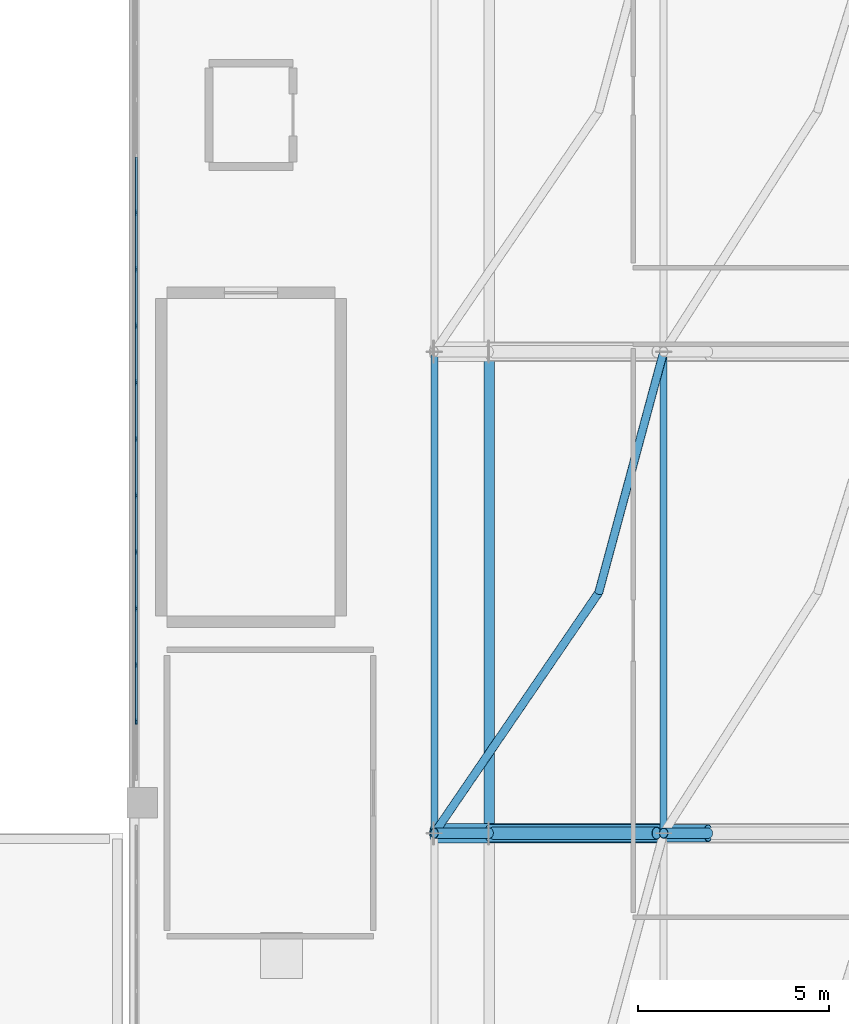
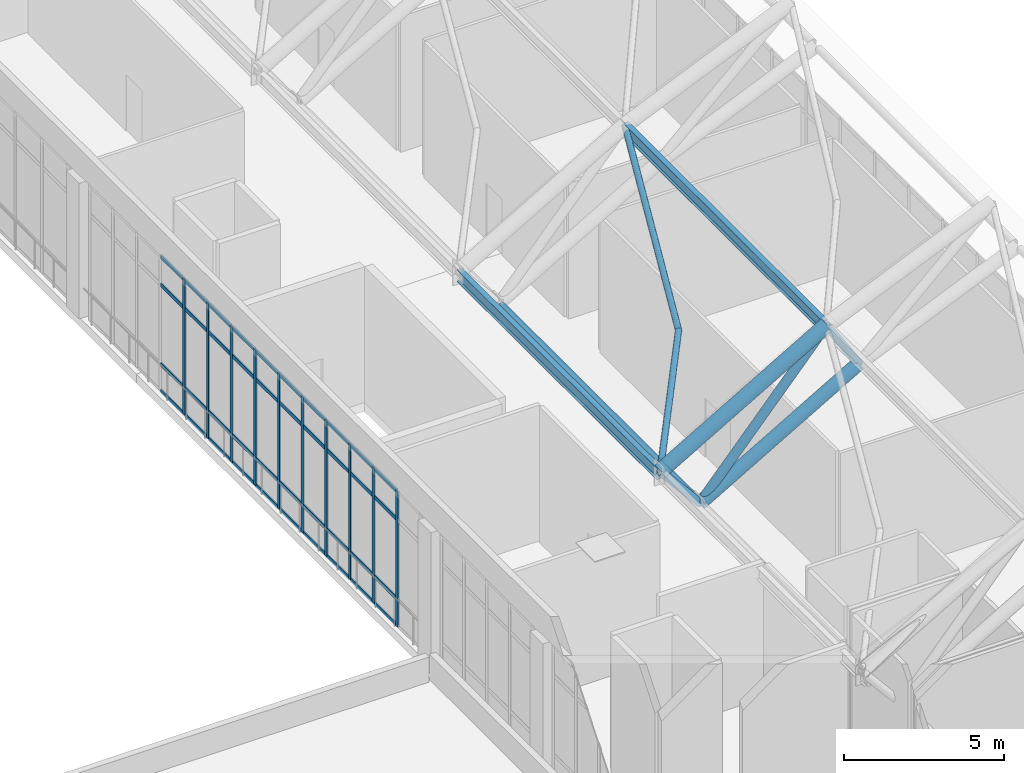
# One storey, part 6 of 42: 60 members, 1 element without a shape of its own.
"""IFC4 building model written with IfcOpenShell, lengths in metres."""

from ifc_helpers import new_model, si_unit, derived_unit, direction, frame, origin, origin_2d, place, context, subcontext, project, spatial, rectangle, hollow_circle, i_section, extrude, material, layer, layer_set, material_profile, profile_set, type_object, element, aggregate, save


model = new_model("IFC4")

# Units and contexts
model_context = context("Model", 3, precision=1e-05, world=origin(), true_north=direction((0.0, 1.0)))
body_context = subcontext(model_context, "Body", "Model", "MODEL_VIEW")
ifc_project = project(units=[si_unit("LENGTHUNIT", "METRE"), si_unit("AREAUNIT", "SQUARE_METRE"), si_unit("VOLUMEUNIT", "CUBIC_METRE"), si_unit("PLANEANGLEUNIT", "RADIAN"), si_unit("MASSUNIT", "GRAM", prefix="KILO"), derived_unit("THERMALTRANSMITTANCEUNIT", [(si_unit("MASSUNIT", "GRAM", prefix="KILO"), 1), (si_unit("TIMEUNIT", "SECOND"), -3), (si_unit("THERMODYNAMICTEMPERATUREUNIT", "KELVIN"), -1)])], contexts=[model_context])

# Site, building, storey
site_placement = place(None, origin())
site = spatial("IfcSite", under=ifc_project, at=site_placement, CompositionType="ELEMENT")
building_placement = place(site_placement, origin())
building = spatial("IfcBuilding", under=site, at=building_placement, Name="Valcora Ridge Arena", CompositionType="ELEMENT")
storey_placement = place(building_placement, frame((0.0, 0.0, 26.39990234375)))
storey = spatial("IfcBuildingStorey", under=building, at=storey_placement, Name="L05", CompositionType="ELEMENT", Elevation=26.39990234375)

# Curtain wall, members
ifc_material_1 = material(Name="Anodised dark bronze architectural aluminium 6063-T6", Category="aluminium")
ifc_layer = layer(ifc_material_1, 0.14990234375, Name="Anodised dark bronze architectural aluminium 6063-T6")
ifc_layer_set = layer_set([ifc_layer], Name="Anodised dark bronze architectural aluminium 6063-T6")
curtain_wall_type = type_object("IfcCurtainWallType", Name="TY-CURTAINWALL-CW-V1-SKY-207X52", PredefinedType="NOTDEFINED", material=ifc_layer_set)
curtain_wall_placement = place(storey_placement, origin())
curtain_wall = element("IfcCurtainWall", 1, at=curtain_wall_placement, inside=storey, type_object=curtain_wall_type, Name="CW-V1-SKY-207X52 CW-0165", PredefinedType="NOTDEFINED")
ifc_material_profile_1 = material_profile(ifc_material_1, rectangle(XDim=0.050048828125, YDim=0.14990234375, at=origin_2d()), Name="ALU MULLION 50x150")
ifc_profile_set_1 = profile_set([ifc_material_profile_1], Name="Anodised dark bronze architectural aluminium 6063-T6")
member_type_1 = type_object("IfcMemberType", Name="TY-MEM-CWM-50x150", PredefinedType="MULLION", material=ifc_profile_set_1)
member_1_placement = place(storey_placement, frame((16.199951171875, 48.1201171875, 0.0), z_axis=(0.0, 0.0, 1.0), x_axis=(-1.0, 0.0, 0.0)))
member_1 = element("IfcMember", 2, at=member_1_placement, type_object=member_type_1, Name="CW-0165/CWM-50x150/M01", PredefinedType="MULLION", context=body_context, shape_type="SweptSolid", body=[
    extrude(rectangle(XDim=0.050048828125, YDim=0.14990234375, at=origin_2d()), origin(), (0.0, 0.0, 1.0), 5.18017578125),
])
member_2_placement = place(storey_placement, frame((16.199951171875, 49.60009765625, 0.0), z_axis=(0.0, 0.0, 1.0), x_axis=(-1.0, 0.0, 0.0)))
member_2 = element("IfcMember", 3, at=member_2_placement, type_object=member_type_1, Name="CW-0165/CWM-50x150/M02", PredefinedType="MULLION", context=body_context, shape_type="SweptSolid", body=[
    extrude(rectangle(XDim=0.050048828125, YDim=0.14990234375, at=origin_2d()), origin(), (0.0, 0.0, 1.0), 5.18017578125),
])
member_3_placement = place(storey_placement, frame((16.199951171875, 51.080078125, 0.0), z_axis=(0.0, 0.0, 1.0), x_axis=(-1.0, 0.0, 0.0)))
member_3 = element("IfcMember", 4, at=member_3_placement, type_object=member_type_1, Name="CW-0165/CWM-50x150/M03", PredefinedType="MULLION", context=body_context, shape_type="SweptSolid", body=[
    extrude(rectangle(XDim=0.050048828125, YDim=0.14990234375, at=origin_2d()), origin(), (0.0, 0.0, 1.0), 5.18017578125),
])
member_4_placement = place(storey_placement, frame((16.199951171875, 52.56005859375, 0.0), z_axis=(0.0, 0.0, 1.0), x_axis=(-1.0, 0.0, 0.0)))
member_4 = element("IfcMember", 5, at=member_4_placement, type_object=member_type_1, Name="CW-0165/CWM-50x150/M04", PredefinedType="MULLION", context=body_context, shape_type="SweptSolid", body=[
    extrude(rectangle(XDim=0.050048828125, YDim=0.14990234375, at=origin_2d()), origin(), (0.0, 0.0, 1.0), 5.18017578125),
])
member_5_placement = place(storey_placement, frame((16.199951171875, 54.0400390625, 0.0), z_axis=(0.0, 0.0, 1.0), x_axis=(-1.0, 0.0, 0.0)))
member_5 = element("IfcMember", 6, at=member_5_placement, type_object=member_type_1, Name="CW-0165/CWM-50x150/M05", PredefinedType="MULLION", context=body_context, shape_type="SweptSolid", body=[
    extrude(rectangle(XDim=0.050048828125, YDim=0.14990234375, at=origin_2d()), origin(), (0.0, 0.0, 1.0), 5.18017578125),
])
member_6_placement = place(storey_placement, frame((16.199951171875, 55.52001953125, 0.0), z_axis=(0.0, 0.0, 1.0), x_axis=(-1.0, 0.0, 0.0)))
member_6 = element("IfcMember", 7, at=member_6_placement, type_object=member_type_1, Name="CW-0165/CWM-50x150/M06", PredefinedType="MULLION", context=body_context, shape_type="SweptSolid", body=[
    extrude(rectangle(XDim=0.050048828125, YDim=0.14990234375, at=origin_2d()), origin(), (0.0, 0.0, 1.0), 5.18017578125),
])
member_7_placement = place(storey_placement, frame((16.199951171875, 57.0, 0.0), z_axis=(0.0, 0.0, 1.0), x_axis=(-1.0, 0.0, 0.0)))
member_7 = element("IfcMember", 8, at=member_7_placement, type_object=member_type_1, Name="CW-0165/CWM-50x150/M07", PredefinedType="MULLION", context=body_context, shape_type="SweptSolid", body=[
    extrude(rectangle(XDim=0.050048828125, YDim=0.14990234375, at=origin_2d()), origin(), (0.0, 0.0, 1.0), 5.18017578125),
])
member_8_placement = place(storey_placement, frame((16.199951171875, 58.47998046875, 0.0), z_axis=(0.0, 0.0, 1.0), x_axis=(-1.0, 0.0, 0.0)))
member_8 = element("IfcMember", 9, at=member_8_placement, type_object=member_type_1, Name="CW-0165/CWM-50x150/M08", PredefinedType="MULLION", context=body_context, shape_type="SweptSolid", body=[
    extrude(rectangle(XDim=0.050048828125, YDim=0.14990234375, at=origin_2d()), origin(), (0.0, 0.0, 1.0), 5.18017578125),
])
member_9_placement = place(storey_placement, frame((16.199951171875, 59.9599609375, 0.0), z_axis=(0.0, 0.0, 1.0), x_axis=(-1.0, 0.0, 0.0)))
member_9 = element("IfcMember", 10, at=member_9_placement, type_object=member_type_1, Name="CW-0165/CWM-50x150/M09", PredefinedType="MULLION", context=body_context, shape_type="SweptSolid", body=[
    extrude(rectangle(XDim=0.050048828125, YDim=0.14990234375, at=origin_2d()), origin(), (0.0, 0.0, 1.0), 5.18017578125),
])
member_10_placement = place(storey_placement, frame((16.199951171875, 61.43994140625, 0.0), z_axis=(0.0, 0.0, 1.0), x_axis=(-1.0, 0.0, 0.0)))
member_10 = element("IfcMember", 11, at=member_10_placement, type_object=member_type_1, Name="CW-0165/CWM-50x150/M10", PredefinedType="MULLION", context=body_context, shape_type="SweptSolid", body=[
    extrude(rectangle(XDim=0.050048828125, YDim=0.14990234375, at=origin_2d()), origin(), (0.0, 0.0, 1.0), 5.18017578125),
])
ifc_material_profile_2 = material_profile(ifc_material_1, rectangle(XDim=0.050048828125, YDim=0.14990234375, at=origin_2d()), Name="ALU TRANSOM 50x150")
ifc_profile_set_2 = profile_set([ifc_material_profile_2], Name="Anodised dark bronze architectural aluminium 6063-T6")
member_type_2 = type_object("IfcMemberType", Name="TY-MEM-CWT-50x150", PredefinedType="USERDEFINED", material=ifc_profile_set_2)
member_11_placement = place(storey_placement, frame((16.199951171875, 48.14501953125, 0.025146484375), z_axis=(0.0, 1.0, 0.0), x_axis=(-1.0, 0.0, 0.0)))
member_11 = element("IfcMember", 12, at=member_11_placement, type_object=member_type_2, Name="CW-0165/CWT-50x150/T01-00", ObjectType="TRANSOM", PredefinedType="USERDEFINED", context=body_context, shape_type="SweptSolid", body=[
    extrude(rectangle(XDim=0.050048828125, YDim=0.14990234375, at=origin_2d()), origin(), (0.0, 0.0, 1.0), 1.429931640625),
])
member_12_placement = place(storey_placement, frame((16.199951171875, 48.14501953125, 1.050048828125), z_axis=(0.0, 1.0, 0.0), x_axis=(-1.0, 0.0, 0.0)))
member_12 = element("IfcMember", 13, at=member_12_placement, type_object=member_type_2, Name="CW-0165/CWT-50x150/T01-01", ObjectType="TRANSOM", PredefinedType="USERDEFINED", context=body_context, shape_type="SweptSolid", body=[
    extrude(rectangle(XDim=0.050048828125, YDim=0.14990234375, at=origin_2d()), origin(), (0.0, 0.0, 1.0), 1.429931640625),
])
member_13_placement = place(storey_placement, frame((16.199951171875, 48.14501953125, 4.080078125), z_axis=(0.0, 1.0, 0.0), x_axis=(-1.0, 0.0, 0.0)))
member_13 = element("IfcMember", 14, at=member_13_placement, type_object=member_type_2, Name="CW-0165/CWT-50x150/T01-02", ObjectType="TRANSOM", PredefinedType="USERDEFINED", context=body_context, shape_type="SweptSolid", body=[
    extrude(rectangle(XDim=0.050048828125, YDim=0.14990234375, at=origin_2d()), origin(), (0.0, 0.0, 1.0), 1.429931640625),
])
member_14_placement = place(storey_placement, frame((16.199951171875, 48.14501953125, 5.155029296875), z_axis=(0.0, 1.0, 0.0), x_axis=(-1.0, 0.0, 0.0)))
member_14 = element("IfcMember", 15, at=member_14_placement, type_object=member_type_2, Name="CW-0165/CWT-50x150/T01-03", ObjectType="TRANSOM", PredefinedType="USERDEFINED", context=body_context, shape_type="SweptSolid", body=[
    extrude(rectangle(XDim=0.050048828125, YDim=0.14990234375, at=origin_2d()), origin(), (0.0, 0.0, 1.0), 1.429931640625),
])
member_15_placement = place(storey_placement, frame((16.199951171875, 49.625, 0.025146484375), z_axis=(0.0, 1.0, 0.0), x_axis=(-1.0, 0.0, 0.0)))
member_15 = element("IfcMember", 16, at=member_15_placement, type_object=member_type_2, Name="CW-0165/CWT-50x150/T02-00", ObjectType="TRANSOM", PredefinedType="USERDEFINED", context=body_context, shape_type="SweptSolid", body=[
    extrude(rectangle(XDim=0.050048828125, YDim=0.14990234375, at=origin_2d()), origin(), (0.0, 0.0, 1.0), 1.429931640625),
])
member_16_placement = place(storey_placement, frame((16.199951171875, 49.625, 1.050048828125), z_axis=(0.0, 1.0, 0.0), x_axis=(-1.0, 0.0, 0.0)))
member_16 = element("IfcMember", 17, at=member_16_placement, type_object=member_type_2, Name="CW-0165/CWT-50x150/T02-01", ObjectType="TRANSOM", PredefinedType="USERDEFINED", context=body_context, shape_type="SweptSolid", body=[
    extrude(rectangle(XDim=0.050048828125, YDim=0.14990234375, at=origin_2d()), origin(), (0.0, 0.0, 1.0), 1.429931640625),
])
member_17_placement = place(storey_placement, frame((16.199951171875, 49.625, 4.080078125), z_axis=(0.0, 1.0, 0.0), x_axis=(-1.0, 0.0, 0.0)))
member_17 = element("IfcMember", 18, at=member_17_placement, type_object=member_type_2, Name="CW-0165/CWT-50x150/T02-02", ObjectType="TRANSOM", PredefinedType="USERDEFINED", context=body_context, shape_type="SweptSolid", body=[
    extrude(rectangle(XDim=0.050048828125, YDim=0.14990234375, at=origin_2d()), origin(), (0.0, 0.0, 1.0), 1.429931640625),
])
member_18_placement = place(storey_placement, frame((16.199951171875, 49.625, 5.155029296875), z_axis=(0.0, 1.0, 0.0), x_axis=(-1.0, 0.0, 0.0)))
member_18 = element("IfcMember", 19, at=member_18_placement, type_object=member_type_2, Name="CW-0165/CWT-50x150/T02-03", ObjectType="TRANSOM", PredefinedType="USERDEFINED", context=body_context, shape_type="SweptSolid", body=[
    extrude(rectangle(XDim=0.050048828125, YDim=0.14990234375, at=origin_2d()), origin(), (0.0, 0.0, 1.0), 1.429931640625),
])
member_19_placement = place(storey_placement, frame((16.199951171875, 51.10498046875, 0.025146484375), z_axis=(0.0, 1.0, 0.0), x_axis=(-1.0, 0.0, 0.0)))
member_19 = element("IfcMember", 20, at=member_19_placement, type_object=member_type_2, Name="CW-0165/CWT-50x150/T03-00", ObjectType="TRANSOM", PredefinedType="USERDEFINED", context=body_context, shape_type="SweptSolid", body=[
    extrude(rectangle(XDim=0.050048828125, YDim=0.14990234375, at=origin_2d()), origin(), (0.0, 0.0, 1.0), 1.429931640625),
])
member_20_placement = place(storey_placement, frame((16.199951171875, 51.10498046875, 1.050048828125), z_axis=(0.0, 1.0, 0.0), x_axis=(-1.0, 0.0, 0.0)))
member_20 = element("IfcMember", 21, at=member_20_placement, type_object=member_type_2, Name="CW-0165/CWT-50x150/T03-01", ObjectType="TRANSOM", PredefinedType="USERDEFINED", context=body_context, shape_type="SweptSolid", body=[
    extrude(rectangle(XDim=0.050048828125, YDim=0.14990234375, at=origin_2d()), origin(), (0.0, 0.0, 1.0), 1.429931640625),
])
member_21_placement = place(storey_placement, frame((16.199951171875, 51.10498046875, 4.080078125), z_axis=(0.0, 1.0, 0.0), x_axis=(-1.0, 0.0, 0.0)))
member_21 = element("IfcMember", 22, at=member_21_placement, type_object=member_type_2, Name="CW-0165/CWT-50x150/T03-02", ObjectType="TRANSOM", PredefinedType="USERDEFINED", context=body_context, shape_type="SweptSolid", body=[
    extrude(rectangle(XDim=0.050048828125, YDim=0.14990234375, at=origin_2d()), origin(), (0.0, 0.0, 1.0), 1.429931640625),
])
member_22_placement = place(storey_placement, frame((16.199951171875, 51.10498046875, 5.155029296875), z_axis=(0.0, 1.0, 0.0), x_axis=(-1.0, 0.0, 0.0)))
member_22 = element("IfcMember", 23, at=member_22_placement, type_object=member_type_2, Name="CW-0165/CWT-50x150/T03-03", ObjectType="TRANSOM", PredefinedType="USERDEFINED", context=body_context, shape_type="SweptSolid", body=[
    extrude(rectangle(XDim=0.050048828125, YDim=0.14990234375, at=origin_2d()), origin(), (0.0, 0.0, 1.0), 1.429931640625),
])
member_23_placement = place(storey_placement, frame((16.199951171875, 52.5849609375, 0.025146484375), z_axis=(0.0, 1.0, 0.0), x_axis=(-1.0, 0.0, 0.0)))
member_23 = element("IfcMember", 24, at=member_23_placement, type_object=member_type_2, Name="CW-0165/CWT-50x150/T04-00", ObjectType="TRANSOM", PredefinedType="USERDEFINED", context=body_context, shape_type="SweptSolid", body=[
    extrude(rectangle(XDim=0.050048828125, YDim=0.14990234375, at=origin_2d()), origin(), (0.0, 0.0, 1.0), 1.429931640625),
])
member_24_placement = place(storey_placement, frame((16.199951171875, 52.5849609375, 1.050048828125), z_axis=(0.0, 1.0, 0.0), x_axis=(-1.0, 0.0, 0.0)))
member_24 = element("IfcMember", 25, at=member_24_placement, type_object=member_type_2, Name="CW-0165/CWT-50x150/T04-01", ObjectType="TRANSOM", PredefinedType="USERDEFINED", context=body_context, shape_type="SweptSolid", body=[
    extrude(rectangle(XDim=0.050048828125, YDim=0.14990234375, at=origin_2d()), origin(), (0.0, 0.0, 1.0), 1.429931640625),
])
member_25_placement = place(storey_placement, frame((16.199951171875, 52.5849609375, 4.080078125), z_axis=(0.0, 1.0, 0.0), x_axis=(-1.0, 0.0, 0.0)))
member_25 = element("IfcMember", 26, at=member_25_placement, type_object=member_type_2, Name="CW-0165/CWT-50x150/T04-02", ObjectType="TRANSOM", PredefinedType="USERDEFINED", context=body_context, shape_type="SweptSolid", body=[
    extrude(rectangle(XDim=0.050048828125, YDim=0.14990234375, at=origin_2d()), origin(), (0.0, 0.0, 1.0), 1.429931640625),
])
member_26_placement = place(storey_placement, frame((16.199951171875, 52.5849609375, 5.155029296875), z_axis=(0.0, 1.0, 0.0), x_axis=(-1.0, 0.0, 0.0)))
member_26 = element("IfcMember", 27, at=member_26_placement, type_object=member_type_2, Name="CW-0165/CWT-50x150/T04-03", ObjectType="TRANSOM", PredefinedType="USERDEFINED", context=body_context, shape_type="SweptSolid", body=[
    extrude(rectangle(XDim=0.050048828125, YDim=0.14990234375, at=origin_2d()), origin(), (0.0, 0.0, 1.0), 1.429931640625),
])
member_27_placement = place(storey_placement, frame((16.199951171875, 54.06494140625, 0.025146484375), z_axis=(0.0, 1.0, 0.0), x_axis=(-1.0, 0.0, 0.0)))
member_27 = element("IfcMember", 28, at=member_27_placement, type_object=member_type_2, Name="CW-0165/CWT-50x150/T05-00", ObjectType="TRANSOM", PredefinedType="USERDEFINED", context=body_context, shape_type="SweptSolid", body=[
    extrude(rectangle(XDim=0.050048828125, YDim=0.14990234375, at=origin_2d()), origin(), (0.0, 0.0, 1.0), 1.43017578125),
])
member_28_placement = place(storey_placement, frame((16.199951171875, 54.06494140625, 1.050048828125), z_axis=(0.0, 1.0, 0.0), x_axis=(-1.0, 0.0, 0.0)))
member_28 = element("IfcMember", 29, at=member_28_placement, type_object=member_type_2, Name="CW-0165/CWT-50x150/T05-01", ObjectType="TRANSOM", PredefinedType="USERDEFINED", context=body_context, shape_type="SweptSolid", body=[
    extrude(rectangle(XDim=0.050048828125, YDim=0.14990234375, at=origin_2d()), origin(), (0.0, 0.0, 1.0), 1.43017578125),
])
member_29_placement = place(storey_placement, frame((16.199951171875, 54.06494140625, 4.080078125), z_axis=(0.0, 1.0, 0.0), x_axis=(-1.0, 0.0, 0.0)))
member_29 = element("IfcMember", 30, at=member_29_placement, type_object=member_type_2, Name="CW-0165/CWT-50x150/T05-02", ObjectType="TRANSOM", PredefinedType="USERDEFINED", context=body_context, shape_type="SweptSolid", body=[
    extrude(rectangle(XDim=0.050048828125, YDim=0.14990234375, at=origin_2d()), origin(), (0.0, 0.0, 1.0), 1.43017578125),
])
member_30_placement = place(storey_placement, frame((16.199951171875, 54.06494140625, 5.155029296875), z_axis=(0.0, 1.0, 0.0), x_axis=(-1.0, 0.0, 0.0)))
member_30 = element("IfcMember", 31, at=member_30_placement, type_object=member_type_2, Name="CW-0165/CWT-50x150/T05-03", ObjectType="TRANSOM", PredefinedType="USERDEFINED", context=body_context, shape_type="SweptSolid", body=[
    extrude(rectangle(XDim=0.050048828125, YDim=0.14990234375, at=origin_2d()), origin(), (0.0, 0.0, 1.0), 1.43017578125),
])
member_31_placement = place(storey_placement, frame((16.199951171875, 55.544921875, 0.025146484375), z_axis=(0.0, 1.0, 0.0), x_axis=(-1.0, 0.0, 0.0)))
member_31 = element("IfcMember", 32, at=member_31_placement, type_object=member_type_2, Name="CW-0165/CWT-50x150/T06-00", ObjectType="TRANSOM", PredefinedType="USERDEFINED", context=body_context, shape_type="SweptSolid", body=[
    extrude(rectangle(XDim=0.050048828125, YDim=0.14990234375, at=origin_2d()), origin(), (0.0, 0.0, 1.0), 1.43017578125),
])
member_32_placement = place(storey_placement, frame((16.199951171875, 55.544921875, 1.050048828125), z_axis=(0.0, 1.0, 0.0), x_axis=(-1.0, 0.0, 0.0)))
member_32 = element("IfcMember", 33, at=member_32_placement, type_object=member_type_2, Name="CW-0165/CWT-50x150/T06-01", ObjectType="TRANSOM", PredefinedType="USERDEFINED", context=body_context, shape_type="SweptSolid", body=[
    extrude(rectangle(XDim=0.050048828125, YDim=0.14990234375, at=origin_2d()), origin(), (0.0, 0.0, 1.0), 1.43017578125),
])
member_33_placement = place(storey_placement, frame((16.199951171875, 55.544921875, 4.080078125), z_axis=(0.0, 1.0, 0.0), x_axis=(-1.0, 0.0, 0.0)))
member_33 = element("IfcMember", 34, at=member_33_placement, type_object=member_type_2, Name="CW-0165/CWT-50x150/T06-02", ObjectType="TRANSOM", PredefinedType="USERDEFINED", context=body_context, shape_type="SweptSolid", body=[
    extrude(rectangle(XDim=0.050048828125, YDim=0.14990234375, at=origin_2d()), origin(), (0.0, 0.0, 1.0), 1.43017578125),
])
member_34_placement = place(storey_placement, frame((16.199951171875, 55.544921875, 5.155029296875), z_axis=(0.0, 1.0, 0.0), x_axis=(-1.0, 0.0, 0.0)))
member_34 = element("IfcMember", 35, at=member_34_placement, type_object=member_type_2, Name="CW-0165/CWT-50x150/T06-03", ObjectType="TRANSOM", PredefinedType="USERDEFINED", context=body_context, shape_type="SweptSolid", body=[
    extrude(rectangle(XDim=0.050048828125, YDim=0.14990234375, at=origin_2d()), origin(), (0.0, 0.0, 1.0), 1.43017578125),
])
member_35_placement = place(storey_placement, frame((16.199951171875, 57.02490234375, 0.025146484375), z_axis=(0.0, 1.0, 0.0), x_axis=(-1.0, 0.0, 0.0)))
member_35 = element("IfcMember", 36, at=member_35_placement, type_object=member_type_2, Name="CW-0165/CWT-50x150/T07-00", ObjectType="TRANSOM", PredefinedType="USERDEFINED", context=body_context, shape_type="SweptSolid", body=[
    extrude(rectangle(XDim=0.050048828125, YDim=0.14990234375, at=origin_2d()), origin(), (0.0, 0.0, 1.0), 1.43017578125),
])
member_36_placement = place(storey_placement, frame((16.199951171875, 57.02490234375, 1.050048828125), z_axis=(0.0, 1.0, 0.0), x_axis=(-1.0, 0.0, 0.0)))
member_36 = element("IfcMember", 37, at=member_36_placement, type_object=member_type_2, Name="CW-0165/CWT-50x150/T07-01", ObjectType="TRANSOM", PredefinedType="USERDEFINED", context=body_context, shape_type="SweptSolid", body=[
    extrude(rectangle(XDim=0.050048828125, YDim=0.14990234375, at=origin_2d()), origin(), (0.0, 0.0, 1.0), 1.43017578125),
])
member_37_placement = place(storey_placement, frame((16.199951171875, 57.02490234375, 4.080078125), z_axis=(0.0, 1.0, 0.0), x_axis=(-1.0, 0.0, 0.0)))
member_37 = element("IfcMember", 38, at=member_37_placement, type_object=member_type_2, Name="CW-0165/CWT-50x150/T07-02", ObjectType="TRANSOM", PredefinedType="USERDEFINED", context=body_context, shape_type="SweptSolid", body=[
    extrude(rectangle(XDim=0.050048828125, YDim=0.14990234375, at=origin_2d()), origin(), (0.0, 0.0, 1.0), 1.43017578125),
])
member_38_placement = place(storey_placement, frame((16.199951171875, 57.02490234375, 5.155029296875), z_axis=(0.0, 1.0, 0.0), x_axis=(-1.0, 0.0, 0.0)))
member_38 = element("IfcMember", 39, at=member_38_placement, type_object=member_type_2, Name="CW-0165/CWT-50x150/T07-03", ObjectType="TRANSOM", PredefinedType="USERDEFINED", context=body_context, shape_type="SweptSolid", body=[
    extrude(rectangle(XDim=0.050048828125, YDim=0.14990234375, at=origin_2d()), origin(), (0.0, 0.0, 1.0), 1.43017578125),
])
member_39_placement = place(storey_placement, frame((16.199951171875, 58.5048828125, 0.025146484375), z_axis=(0.0, 1.0, 0.0), x_axis=(-1.0, 0.0, 0.0)))
member_39 = element("IfcMember", 40, at=member_39_placement, type_object=member_type_2, Name="CW-0165/CWT-50x150/T08-00", ObjectType="TRANSOM", PredefinedType="USERDEFINED", context=body_context, shape_type="SweptSolid", body=[
    extrude(rectangle(XDim=0.050048828125, YDim=0.14990234375, at=origin_2d()), origin(), (0.0, 0.0, 1.0), 1.43017578125),
])
member_40_placement = place(storey_placement, frame((16.199951171875, 58.5048828125, 1.050048828125), z_axis=(0.0, 1.0, 0.0), x_axis=(-1.0, 0.0, 0.0)))
member_40 = element("IfcMember", 41, at=member_40_placement, type_object=member_type_2, Name="CW-0165/CWT-50x150/T08-01", ObjectType="TRANSOM", PredefinedType="USERDEFINED", context=body_context, shape_type="SweptSolid", body=[
    extrude(rectangle(XDim=0.050048828125, YDim=0.14990234375, at=origin_2d()), origin(), (0.0, 0.0, 1.0), 1.43017578125),
])
member_41_placement = place(storey_placement, frame((16.199951171875, 58.5048828125, 4.080078125), z_axis=(0.0, 1.0, 0.0), x_axis=(-1.0, 0.0, 0.0)))
member_41 = element("IfcMember", 42, at=member_41_placement, type_object=member_type_2, Name="CW-0165/CWT-50x150/T08-02", ObjectType="TRANSOM", PredefinedType="USERDEFINED", context=body_context, shape_type="SweptSolid", body=[
    extrude(rectangle(XDim=0.050048828125, YDim=0.14990234375, at=origin_2d()), origin(), (0.0, 0.0, 1.0), 1.43017578125),
])
member_42_placement = place(storey_placement, frame((16.199951171875, 58.5048828125, 5.155029296875), z_axis=(0.0, 1.0, 0.0), x_axis=(-1.0, 0.0, 0.0)))
member_42 = element("IfcMember", 43, at=member_42_placement, type_object=member_type_2, Name="CW-0165/CWT-50x150/T08-03", ObjectType="TRANSOM", PredefinedType="USERDEFINED", context=body_context, shape_type="SweptSolid", body=[
    extrude(rectangle(XDim=0.050048828125, YDim=0.14990234375, at=origin_2d()), origin(), (0.0, 0.0, 1.0), 1.43017578125),
])
member_43_placement = place(storey_placement, frame((16.199951171875, 59.985107421875, 0.025146484375), z_axis=(0.0, 1.0, 0.0), x_axis=(-1.0, 0.0, 0.0)))
member_43 = element("IfcMember", 44, at=member_43_placement, type_object=member_type_2, Name="CW-0165/CWT-50x150/T09-00", ObjectType="TRANSOM", PredefinedType="USERDEFINED", context=body_context, shape_type="SweptSolid", body=[
    extrude(rectangle(XDim=0.050048828125, YDim=0.14990234375, at=origin_2d()), origin(), (0.0, 0.0, 1.0), 1.429931640625),
])
member_44_placement = place(storey_placement, frame((16.199951171875, 59.985107421875, 1.050048828125), z_axis=(0.0, 1.0, 0.0), x_axis=(-1.0, 0.0, 0.0)))
member_44 = element("IfcMember", 45, at=member_44_placement, type_object=member_type_2, Name="CW-0165/CWT-50x150/T09-01", ObjectType="TRANSOM", PredefinedType="USERDEFINED", context=body_context, shape_type="SweptSolid", body=[
    extrude(rectangle(XDim=0.050048828125, YDim=0.14990234375, at=origin_2d()), origin(), (0.0, 0.0, 1.0), 1.429931640625),
])
member_45_placement = place(storey_placement, frame((16.199951171875, 59.985107421875, 4.080078125), z_axis=(0.0, 1.0, 0.0), x_axis=(-1.0, 0.0, 0.0)))
member_45 = element("IfcMember", 46, at=member_45_placement, type_object=member_type_2, Name="CW-0165/CWT-50x150/T09-02", ObjectType="TRANSOM", PredefinedType="USERDEFINED", context=body_context, shape_type="SweptSolid", body=[
    extrude(rectangle(XDim=0.050048828125, YDim=0.14990234375, at=origin_2d()), origin(), (0.0, 0.0, 1.0), 1.429931640625),
])
member_46_placement = place(storey_placement, frame((16.199951171875, 59.985107421875, 5.155029296875), z_axis=(0.0, 1.0, 0.0), x_axis=(-1.0, 0.0, 0.0)))
member_46 = element("IfcMember", 47, at=member_46_placement, type_object=member_type_2, Name="CW-0165/CWT-50x150/T09-03", ObjectType="TRANSOM", PredefinedType="USERDEFINED", context=body_context, shape_type="SweptSolid", body=[
    extrude(rectangle(XDim=0.050048828125, YDim=0.14990234375, at=origin_2d()), origin(), (0.0, 0.0, 1.0), 1.429931640625),
])
member_47_placement = place(storey_placement, frame((16.199951171875, 61.465087890625, 0.025146484375), z_axis=(0.0, 1.0, 0.0), x_axis=(-1.0, 0.0, 0.0)))
member_47 = element("IfcMember", 48, at=member_47_placement, type_object=member_type_2, Name="CW-0165/CWT-50x150/T10-00", ObjectType="TRANSOM", PredefinedType="USERDEFINED", context=body_context, shape_type="SweptSolid", body=[
    extrude(rectangle(XDim=0.050048828125, YDim=0.14990234375, at=origin_2d()), origin(), (0.0, 0.0, 1.0), 1.429931640625),
])
member_48_placement = place(storey_placement, frame((16.199951171875, 61.465087890625, 1.050048828125), z_axis=(0.0, 1.0, 0.0), x_axis=(-1.0, 0.0, 0.0)))
member_48 = element("IfcMember", 49, at=member_48_placement, type_object=member_type_2, Name="CW-0165/CWT-50x150/T10-01", ObjectType="TRANSOM", PredefinedType="USERDEFINED", context=body_context, shape_type="SweptSolid", body=[
    extrude(rectangle(XDim=0.050048828125, YDim=0.14990234375, at=origin_2d()), origin(), (0.0, 0.0, 1.0), 1.429931640625),
])
member_49_placement = place(storey_placement, frame((16.199951171875, 61.465087890625, 4.080078125), z_axis=(0.0, 1.0, 0.0), x_axis=(-1.0, 0.0, 0.0)))
member_49 = element("IfcMember", 50, at=member_49_placement, type_object=member_type_2, Name="CW-0165/CWT-50x150/T10-02", ObjectType="TRANSOM", PredefinedType="USERDEFINED", context=body_context, shape_type="SweptSolid", body=[
    extrude(rectangle(XDim=0.050048828125, YDim=0.14990234375, at=origin_2d()), origin(), (0.0, 0.0, 1.0), 1.429931640625),
])
member_50_placement = place(storey_placement, frame((16.199951171875, 61.465087890625, 5.155029296875), z_axis=(0.0, 1.0, 0.0), x_axis=(-1.0, 0.0, 0.0)))
member_50 = element("IfcMember", 51, at=member_50_placement, type_object=member_type_2, Name="CW-0165/CWT-50x150/T10-03", ObjectType="TRANSOM", PredefinedType="USERDEFINED", context=body_context, shape_type="SweptSolid", body=[
    extrude(rectangle(XDim=0.050048828125, YDim=0.14990234375, at=origin_2d()), origin(), (0.0, 0.0, 1.0), 1.429931640625),
])
aggregate(curtain_wall, [member_1, member_2, member_3, member_4, member_5, member_6, member_7, member_8, member_9, member_10, member_11, member_12, member_13, member_14, member_15, member_16, member_17, member_18, member_19, member_20, member_21, member_22, member_23, member_24, member_25, member_26, member_27, member_28, member_29, member_30, member_31, member_32, member_33, member_34, member_35, member_36, member_37, member_38, member_39, member_40, member_41, member_42, member_43, member_44, member_45, member_46, member_47, member_48, member_49, member_50])

# Members
ifc_material_2 = material(Name="Steel ASTM A572 Grade 50", Category="steel")
ifc_material_profile_3 = material_profile(ifc_material_2, i_section(OverallWidth=0.18994140625, OverallDepth=0.45703125, WebThickness=0.009033203125, FlangeThickness=0.014404296875, FilletRadius=0.014892578125, at=origin_2d()), Name="W18X50")
ifc_profile_set_3 = profile_set([ifc_material_profile_3], Name="Steel ASTM A572 Grade 50")
member_type_3 = type_object("IfcMemberType", Name="TY-MEMBER-PUR-W18X50", PredefinedType="PURLIN", material=ifc_profile_set_3)
for number, where, z_axis, x_axis, name in (
    (52, (24.0, 45.25, 4.845703125), (0.0, 1.0, 0.0), (-1.0, 0.0, 0.0), "PUR-W18X50 SF-PR-PUR-W18X50-0025"),
    (53, (30.0, 45.25, 8.342529296875), (0.0, 1.0, 0.0), (-1.0, 0.0, 0.0), "PUR-W18X50 SF-PR-PUR-W18X50-0026"),
):
    element("IfcMember", number, at=place(storey_placement, frame(where, z_axis=z_axis, x_axis=x_axis)), inside=storey, type_object=member_type_3, Name=name, PredefinedType="PURLIN", context=body_context, shape_type="SweptSolid", body=[
        extrude(i_section(OverallWidth=0.18994140625, OverallDepth=0.45703125, WebThickness=0.009033203125, FlangeThickness=0.014404296875, FilletRadius=0.014892578125, at=origin_2d()), origin(), (0.0, 0.0, 1.0), 12.5),
    ])
ifc_material_3 = material(Name="Steel ASTM A500 Grade C", Category="steel")
ifc_material_profile_4 = material_profile(ifc_material_3, hollow_circle(Radius=0.228515625, WallThickness=0.01611328125, at=origin_2d()), Name="CHS457X16")
ifc_profile_set_4 = profile_set([ifc_material_profile_4], Name="Steel ASTM A500 Grade C")
member_type_4 = type_object("IfcMemberType", Name="TY-MEMBER-SFBC-457", PredefinedType="CHORD", material=ifc_profile_set_4)
member_51_placement = place(storey_placement, frame((25.438232421875, 45.199951171875, 3.234130859375), z_axis=(0.864898384633, 0.0, 0.501946993476), x_axis=(0.0, 1.0, 0.0)))
element("IfcMember", 54, at=member_51_placement, inside=storey, type_object=member_type_4, Name="SFBC-457 Space Frame Bottom Chord", PredefinedType="CHORD", context=body_context, shape_type="SweptSolid", body=[
    extrude(hollow_circle(Radius=0.228515625, WallThickness=0.01611328125, at=origin_2d()), origin(), (0.0, 0.0, 1.0), 6.62353515625),
])
ifc_material_profile_5 = material_profile(ifc_material_3, hollow_circle(Radius=0.136474609375, WallThickness=0.012451171875, at=origin_2d()), Name="CHS273X12")
ifc_profile_set_5 = profile_set([ifc_material_profile_5], Name="Steel ASTM A500 Grade C")
member_type_5 = type_object("IfcMemberType", Name="TY-MEMBER-SFBT-273", PredefinedType="STRUT", material=ifc_profile_set_5)
member_52_placement = place(storey_placement, frame((25.438232421875, 45.3798828125, 3.234130859375), z_axis=(0.0, 1.0, 0.0), x_axis=(-1.0, 0.0, 0.0)))
element("IfcMember", 55, at=member_52_placement, inside=storey, type_object=member_type_5, Name="SFBT-273 Space Frame Bottom Strut", PredefinedType="STRUT", context=body_context, shape_type="SweptSolid", body=[
    extrude(hollow_circle(Radius=0.136474609375, WallThickness=0.012451171875, at=origin_2d()), origin(), (0.0, 0.0, 1.0), 12.240234375),
])
ifc_material_profile_6 = material_profile(ifc_material_3, hollow_circle(Radius=0.136474609375, WallThickness=0.012451171875, at=origin_2d()), Name="CHS273X12")
ifc_profile_set_6 = profile_set([ifc_material_profile_6], Name="Steel ASTM A500 Grade C")
member_type_6 = type_object("IfcMemberType", Name="TY-MEMBER-SFKP-273", PredefinedType="POST", material=ifc_profile_set_6)
member_53_placement = place(storey_placement, frame((25.438232421875, 45.199951171875, 3.234130859375), z_axis=(-0.642337596391, 0.0, 0.766421823974), x_axis=(0.0, -1.0, 0.0)))
element("IfcMember", 56, at=member_53_placement, inside=storey, type_object=member_type_6, Name="SFKP-273 Space Frame King Post", PredefinedType="POST", context=body_context, shape_type="SweptSolid", body=[
    extrude(hollow_circle(Radius=0.136474609375, WallThickness=0.012451171875, at=origin_2d()), origin(), (0.0, 0.0, 1.0), 2.239013671875),
])
member_54_placement = place(storey_placement, frame((31.1669921875, 45.199951171875, 6.558837890625), z_axis=(-0.528755468485, 0.0, 0.848774207047), x_axis=(0.0, -1.0, 0.0)))
element("IfcMember", 57, at=member_54_placement, inside=storey, type_object=member_type_6, Name="SFKP-273 Space Frame King Post", PredefinedType="POST", context=body_context, shape_type="SweptSolid", body=[
    extrude(hollow_circle(Radius=0.136474609375, WallThickness=0.012451171875, at=origin_2d()), origin(), (0.0, 0.0, 1.0), 2.20703125),
])
ifc_material_profile_7 = material_profile(ifc_material_3, hollow_circle(Radius=0.109619140625, WallThickness=0.010009765625, at=origin_2d()), Name="CHS219X10")
ifc_profile_set_7 = profile_set([ifc_material_profile_7], Name="Steel ASTM A500 Grade C")
member_type_7 = type_object("IfcMemberType", Name="TY-MEMBER-SFST-219", PredefinedType="STRUT", material=ifc_profile_set_7)
member_55_placement = place(storey_placement, frame((28.302734375, 51.5, 5.01220703125), z_axis=(-0.563966435839, -0.825757709761, -0.008127977457), x_axis=(0.825784987548, -0.563985065706, 0.0)))
element("IfcMember", 58, at=member_55_placement, inside=storey, type_object=member_type_7, Name="SFST-219 Space Frame Tie Strut", PredefinedType="STRUT", context=body_context, shape_type="SweptSolid", body=[
    extrude(hollow_circle(Radius=0.109619140625, WallThickness=0.010009765625, at=origin_2d()), origin(), (0.0, 0.0, 1.0), 7.62939453125),
])
member_56_placement = place(storey_placement, frame((28.302734375, 51.5, 5.01220703125), z_axis=(0.230399293261, 0.855214868037, 0.464245296317), x_axis=(-0.965573476233, 0.260130471101, 0.0)))
element("IfcMember", 59, at=member_56_placement, inside=storey, type_object=member_type_7, Name="SFST-219 Space Frame Tie Strut", PredefinedType="STRUT", context=body_context, shape_type="SweptSolid", body=[
    extrude(hollow_circle(Radius=0.109619140625, WallThickness=0.010009765625, at=origin_2d()), origin(), (0.0, 0.0, 1.0), 7.36669921875),
])
ifc_material_profile_8 = material_profile(ifc_material_3, hollow_circle(Radius=0.25390625, WallThickness=0.01611328125, at=origin_2d()), Name="CHS508X16")
ifc_profile_set_8 = profile_set([ifc_material_profile_8], Name="Steel ASTM A500 Grade C")
member_type_8 = type_object("IfcMemberType", Name="TY-MEMBER-SFTC-508", PredefinedType="CHORD", material=ifc_profile_set_8)
member_57_placement = place(storey_placement, frame((24.0, 45.199951171875, 4.9501953125), z_axis=(0.864910194439, 0.0, 0.501926643599), x_axis=(0.0, 1.0, 0.0)))
element("IfcMember", 60, at=member_57_placement, inside=storey, type_object=member_type_8, Name="SFTC-508 Space Frame Top Chord", PredefinedType="CHORD", context=body_context, shape_type="SweptSolid", body=[
    extrude(hollow_circle(Radius=0.25390625, WallThickness=0.01611328125, at=origin_2d()), origin(), (0.0, 0.0, 1.0), 6.937255859375),
])
ifc_material_profile_9 = material_profile(ifc_material_3, hollow_circle(Radius=0.161865234375, WallThickness=0.012451171875, at=origin_2d()), Name="CHS323X12")
ifc_profile_set_9 = profile_set([ifc_material_profile_9], Name="Steel ASTM A500 Grade C")
member_type_9 = type_object("IfcMemberType", Name="TY-MEMBER-SFWB-323", PredefinedType="BRACE", material=ifc_profile_set_9)
member_58_placement = place(storey_placement, frame((25.543701171875, 45.199951171875, 3.3544921875), z_axis=(0.659614231512, 0.0, 0.751604327813), x_axis=(0.0, 1.0, 0.0)))
element("IfcMember", 61, at=member_58_placement, inside=storey, type_object=member_type_9, Name="SFWB-323 Space Frame Diagonal Brace", PredefinedType="BRACE", context=body_context, shape_type="SweptSolid", body=[
    extrude(hollow_circle(Radius=0.161865234375, WallThickness=0.012451171875, at=origin_2d()), origin(), (0.0, 0.0, 1.0), 6.475830078125),
])

save(model, "model.ifc")
